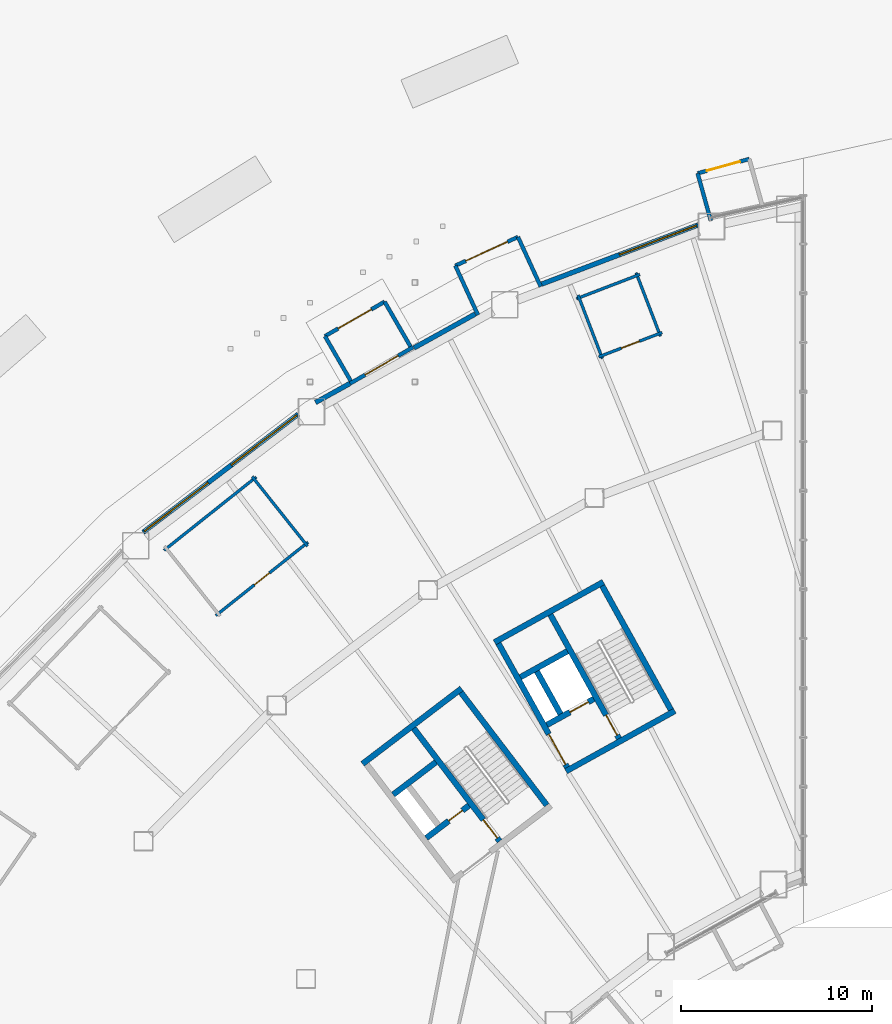
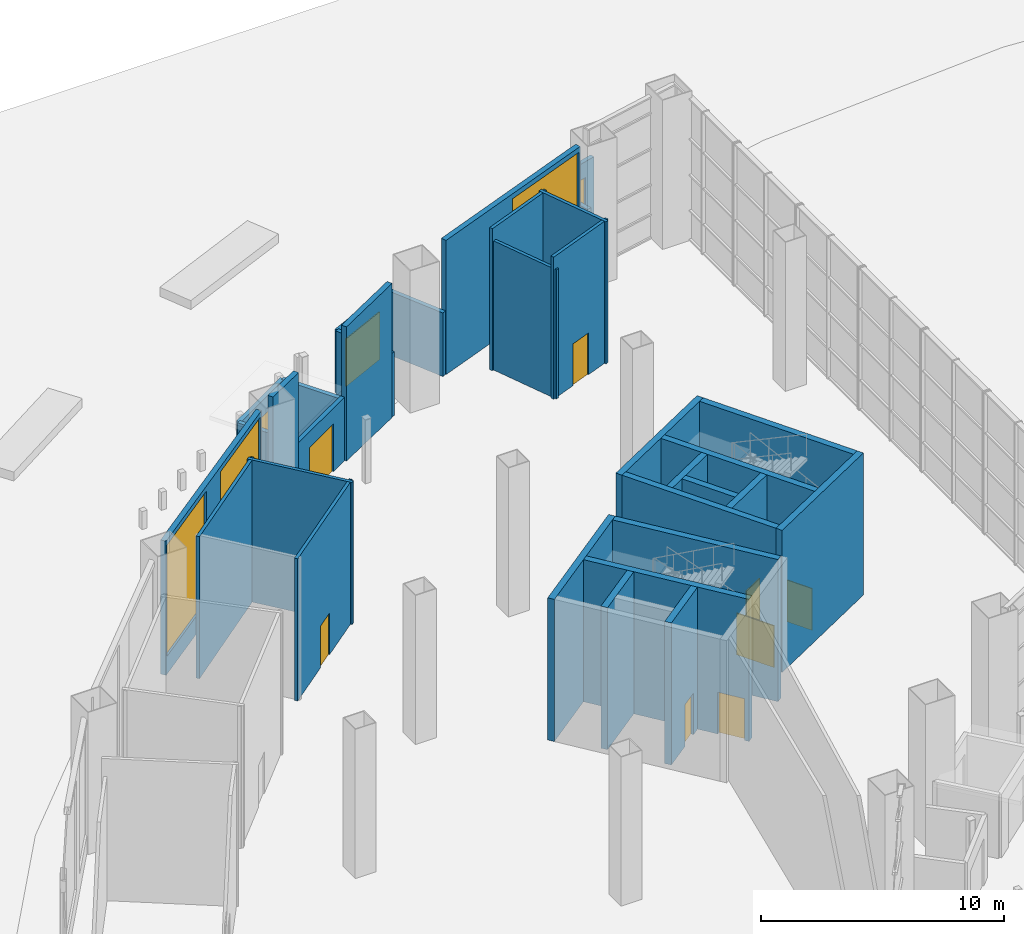
# One storey, part 32 of 45: 33 walls, 11 doors, 3 windows, 14 openings.
"""IFC4 building model written with IfcOpenShell, lengths in metres."""

from ifc_helpers import new_model, si_unit, direction, frame, frame_2d, origin, place, context, subcontext, project, spatial, rectangle, extrude, material, layer, layer_set, type_object, element, fill, save


model = new_model("IFC4")

# Units and contexts
model_context = context("Model", 3, precision=1e-05, world=origin(), true_north=direction((0.0, 1.0)))
body_context = subcontext(model_context, "Body", "Model", "MODEL_VIEW")
ifc_project = project(units=[si_unit("LENGTHUNIT", "METRE"), si_unit("AREAUNIT", "SQUARE_METRE"), si_unit("VOLUMEUNIT", "CUBIC_METRE"), si_unit("PLANEANGLEUNIT", "RADIAN"), si_unit("MASSUNIT", "GRAM", prefix="KILO")], contexts=[model_context])

# Site, building, storey
site_placement = place(None, origin())
site = spatial("IfcSite", under=ifc_project, at=site_placement, CompositionType="ELEMENT")
building_placement = place(site_placement, origin())
building = spatial("IfcBuilding", under=site, at=building_placement, Name="Tuul Gate Civic Tower", CompositionType="ELEMENT")
storey_placement = place(building_placement, origin())
storey = spatial("IfcBuildingStorey", under=building, at=storey_placement, Name="Level 00", CompositionType="ELEMENT", Elevation=0.0)

# Wall, opening, door
ifc_material_1 = material(Name="Concrete C50/60", Category="concrete")
ifc_layer_1 = layer(ifc_material_1, 0.300048828125)
ifc_layer_set_1 = layer_set([ifc_layer_1], Name="Concrete C50/60")
wall_type_1 = type_object("IfcWallType", Name="Core wall C50/60", PredefinedType="SHEAR", material=ifc_layer_set_1)
wall_1_placement = place(storey_placement, frame((-35.470947265625, -13.66064453125, 0.0), z_axis=(0.0, 0.0, 1.0), x_axis=(-0.795615822227, -0.605801504968, 0.0)))
wall_1 = element("IfcWall", 1, at=wall_1_placement, inside=storey, type_object=wall_type_1, Name="Core wall", PredefinedType="SHEAR", context=body_context, shape_type="SweptSolid", body=[
    extrude(rectangle(XDim=2.800048828125, YDim=0.300048828125, at=frame_2d((1.39990234375, 0.0))), origin(), (0.0, 0.0, 1.0), 7.14990234375),
])
opening_1_placement = place(wall_1_placement, frame((0.425048828125, 0.0, 0.0)))
opening_1 = element("IfcOpeningElement", 2, at=opening_1_placement, cuts=wall_1, Name="Opening FB-W1A1", PredefinedType="OPENING", context=body_context, shape_type="SweptSolid", body=[
    extrude(rectangle(XDim=0.89990234375, YDim=2.10009765625, at=frame_2d((0.449951171875, 1.050048828125))), frame((0.0, 0.16015625, 0.0), z_axis=(0.0, -1.0, 0.0), x_axis=(1.0, 0.0, 0.0)), (0.0, 0.0, 1.0), 0.320068359375),
])
ifc_material_2 = material(Name="Steel", Category="steel")
door_type_1 = type_object("IfcDoorType", Name="Store door", OperationType="NOTDEFINED", PredefinedType="DOOR", material=ifc_material_2)
door_1_placement = place(opening_1_placement, frame((0.89990234375, 0.0, 0.0), z_axis=(0.0, 0.0, 1.0), x_axis=(-1.0, 0.0, 0.0)))
door_1 = element("IfcDoor", 3, at=door_1_placement, inside=storey, type_object=door_type_1, Name="Store door W1A1", OperationType="SINGLE_SWING_RIGHT", OverallHeight=2.10009765625, OverallWidth=0.89990234375, PredefinedType="DOOR", context=body_context, shape_type="SweptSolid", body=[
    extrude(rectangle(XDim=0.89990234375, YDim=2.10009765625, at=frame_2d((0.449951171875, 1.050048828125))), frame((0.0, 0.02490234375, 0.0), z_axis=(0.0, -1.0, 0.0), x_axis=(1.0, 0.0, 0.0)), (0.0, 0.0, 1.0), 0.050048828125),
])
fill(opening_1, door_1)

# Walls
wall_2_placement = place(storey_placement, frame((-37.197509765625, -11.39306640625, 0.0), z_axis=(0.0, 0.0, 1.0), x_axis=(-0.795583820278, -0.605843531707, 0.0)))
element("IfcWall", 4, at=wall_2_placement, inside=storey, type_object=wall_type_1, Name="Core wall", PredefinedType="SHEAR", context=body_context, shape_type="SweptSolid", body=[
    extrude(rectangle(XDim=2.7998046875, YDim=0.300048828125, at=frame_2d((1.39990234375, 0.0))), origin(), (0.0, 0.0, 1.0), 7.14990234375),
])
wall_3_placement = place(storey_placement, frame((-35.855224609375, -7.543212890625, 0.0), z_axis=(0.0, 0.0, 1.0), x_axis=(-0.79563860527, -0.605771582202, 0.0)))
element("IfcWall", 5, at=wall_3_placement, inside=storey, type_object=wall_type_1, Name="Core wall", PredefinedType="SHEAR", context=body_context, shape_type="SweptSolid", body=[
    extrude(rectangle(XDim=6.5, YDim=0.300048828125, at=frame_2d((3.25, 0.0))), origin(), (0.0, 0.0, 1.0), 7.14990234375),
])
wall_4_placement = place(storey_placement, frame((-31.401123046875, -13.64111328125, 0.0), z_axis=(0.0, 0.0, 1.0), x_axis=(-0.605769822278, 0.795639945213, 0.0)))
element("IfcWall", 6, at=wall_4_placement, inside=storey, type_object=wall_type_1, Name="Core wall", PredefinedType="SHEAR", context=body_context, shape_type="SweptSolid", body=[
    extrude(rectangle(XDim=7.39990234375, YDim=0.300048828125, at=frame_2d((3.699951171875, 0.0))), origin(), (0.0, 0.0, 1.0), 7.14990234375),
])

# Wall, opening, door
wall_5_placement = place(storey_placement, frame((-33.867431640625, -15.51904296875, 0.0), z_axis=(0.0, 0.0, 1.0), x_axis=(-0.605769822278, 0.795639945213, 0.0)))
wall_5 = element("IfcWall", 7, at=wall_5_placement, inside=storey, type_object=wall_type_1, Name="Core wall", PredefinedType="SHEAR", context=body_context, shape_type="SweptSolid", body=[
    extrude(rectangle(XDim=7.39990234375, YDim=0.300048828125, at=frame_2d((3.699951171875, 0.0))), origin(), (0.0, 0.0, 1.0), 7.14990234375),
])
opening_2_placement = place(wall_5_placement, frame((0.199951171875, 0.0, 0.0)))
opening_2 = element("IfcOpeningElement", 8, at=opening_2_placement, cuts=wall_5, Name="Opening SD-ST-1", PredefinedType="OPENING", context=body_context, shape_type="SweptSolid", body=[
    extrude(rectangle(XDim=1.199951171875, YDim=2.10009765625, at=frame_2d((0.60009765625, 1.050048828125))), frame((0.0, 0.16015625, 0.0), z_axis=(0.0, -1.0, 0.0), x_axis=(1.0, 0.0, 0.0)), (0.0, 0.0, 1.0), 0.320068359375),
])
ifc_material_3 = material(Name="Steel", Category="steel")
door_type_2 = type_object("IfcDoorType", Name="Stair door", OperationType="NOTDEFINED", PredefinedType="DOOR", material=ifc_material_3)
door_2_placement = place(opening_2_placement, origin())
door_2 = element("IfcDoor", 9, at=door_2_placement, inside=storey, type_object=door_type_2, Name="Stair door ST-1", OperationType="SINGLE_SWING_LEFT", OverallHeight=2.10009765625, OverallWidth=1.199951171875, PredefinedType="DOOR", context=body_context, shape_type="SweptSolid", body=[
    extrude(rectangle(XDim=1.199951171875, YDim=2.10009765625, at=frame_2d((0.60009765625, 1.050048828125))), frame((0.0, 0.02490234375, 0.0), z_axis=(0.0, -1.0, 0.0), x_axis=(1.0, 0.0, 0.0)), (0.0, 0.0, 1.0), 0.050048828125),
])
fill(opening_2, door_2)

# Wall
wall_6_placement = place(storey_placement, frame((-24.711669921875, -8.7158203125, 0.0), z_axis=(0.0, 0.0, 1.0), x_axis=(-0.874629909008, -0.484791215132, 0.0)))
element("IfcWall", 10, at=wall_6_placement, inside=storey, type_object=wall_type_1, Name="Core wall", PredefinedType="SHEAR", context=body_context, shape_type="SweptSolid", body=[
    extrude(rectangle(XDim=6.5, YDim=0.300048828125, at=frame_2d((3.25, 0.0))), origin(), (0.0, 0.0, 1.0), 7.14990234375),
])

# Wall, opening, door
wall_7_placement = place(storey_placement, frame((-28.94580078125, -8.090087890625, 0.0), z_axis=(0.0, 0.0, 1.0), x_axis=(-0.874629840737, -0.484791338301, 0.0)))
wall_7 = element("IfcWall", 11, at=wall_7_placement, inside=storey, type_object=wall_type_1, Name="Core wall", PredefinedType="SHEAR", context=body_context, shape_type="SweptSolid", body=[
    extrude(rectangle(XDim=2.800048828125, YDim=0.300048828125, at=frame_2d((1.39990234375, 0.0))), origin(), (0.0, 0.0, 1.0), 7.14990234375),
])
opening_3_placement = place(wall_7_placement, frame((0.324951171875, 0.0, 0.0)))
opening_3 = element("IfcOpeningElement", 12, at=opening_3_placement, cuts=wall_7, Name="Opening LD-FF-1", PredefinedType="OPENING", context=body_context, shape_type="SweptSolid", body=[
    extrude(rectangle(XDim=1.10009765625, YDim=2.10009765625, at=frame_2d((0.550048828125, 1.050048828125))), frame((0.0, 0.16015625, 0.0), z_axis=(0.0, -1.0, 0.0), x_axis=(1.0, 0.0, 0.0)), (0.0, 0.0, 1.0), 0.320068359375),
])
ifc_material_4 = material(Name="Stainless steel", Category="steel")
door_type_3 = type_object("IfcDoorType", Name="Landing door", OperationType="DOUBLE_DOOR_SLIDING", PredefinedType="DOOR", material=ifc_material_4)
door_3_placement = place(opening_3_placement, origin())
door_3 = element("IfcDoor", 13, at=door_3_placement, inside=storey, type_object=door_type_3, Name="Fire-fighting lift FF-1 landing door", OperationType="DOUBLE_DOOR_SLIDING", OverallHeight=2.10009765625, OverallWidth=1.10009765625, PredefinedType="DOOR", context=body_context, shape_type="SweptSolid", body=[
    extrude(rectangle(XDim=1.10009765625, YDim=2.10009765625, at=frame_2d((0.550048828125, 1.050048828125))), frame((0.0, 0.02490234375, 0.0), z_axis=(0.0, -1.0, 0.0), x_axis=(1.0, 0.0, 0.0)), (0.0, 0.0, 1.0), 0.050048828125),
])
fill(opening_3, door_3)

# Walls
wall_8_placement = place(storey_placement, frame((-30.327392578125, -5.59716796875, 0.0), z_axis=(0.0, 0.0, 1.0), x_axis=(-0.874629840737, -0.484791338301, 0.0)))
element("IfcWall", 14, at=wall_8_placement, inside=storey, type_object=wall_type_1, Name="Core wall", PredefinedType="SHEAR", context=body_context, shape_type="SweptSolid", body=[
    extrude(rectangle(XDim=2.800048828125, YDim=0.300048828125, at=frame_2d((1.39990234375, 0.0))), origin(), (0.0, 0.0, 1.0), 7.14990234375),
])
wall_9_placement = place(storey_placement, frame((-28.4443359375, -1.98095703125, 0.0), z_axis=(0.0, 0.0, 1.0), x_axis=(-0.874629909008, -0.484791215132, 0.0)))
element("IfcWall", 15, at=wall_9_placement, inside=storey, type_object=wall_type_1, Name="Core wall", PredefinedType="SHEAR", context=body_context, shape_type="SweptSolid", body=[
    extrude(rectangle(XDim=6.5, YDim=0.300048828125, at=frame_2d((3.25, 0.0))), origin(), (0.0, 0.0, 1.0), 7.14990234375),
])
wall_10_placement = place(storey_placement, frame((-24.91552734375, -8.6572265625, 0.0), z_axis=(0.0, 0.0, 1.0), x_axis=(-0.484777133038, 0.874637714304, 0.0)))
element("IfcWall", 16, at=wall_10_placement, inside=storey, type_object=wall_type_1, Name="Core wall", PredefinedType="SHEAR", context=body_context, shape_type="SweptSolid", body=[
    extrude(rectangle(XDim=7.400146484375, YDim=0.300048828125, at=frame_2d((3.7001953125, 0.0))), origin(), (0.0, 0.0, 1.0), 7.14990234375),
])

# Wall, opening, door
wall_11_placement = place(storey_placement, frame((-27.626953125, -10.16015625, 0.0), z_axis=(0.0, 0.0, 1.0), x_axis=(-0.484751894226, 0.874651702704, 0.0)))
wall_11 = element("IfcWall", 17, at=wall_11_placement, inside=storey, type_object=wall_type_1, Name="Core wall", PredefinedType="SHEAR", context=body_context, shape_type="SweptSolid", body=[
    extrude(rectangle(XDim=7.39990234375, YDim=0.300048828125, at=frame_2d((3.699951171875, 0.0))), origin(), (0.0, 0.0, 1.0), 7.14990234375),
])
opening_4_placement = place(wall_11_placement, frame((0.199951171875, 0.0, 0.0)))
opening_4 = element("IfcOpeningElement", 18, at=opening_4_placement, cuts=wall_11, Name="Opening SD-ST-2", PredefinedType="OPENING", context=body_context, shape_type="SweptSolid", body=[
    extrude(rectangle(XDim=1.199951171875, YDim=2.10009765625, at=frame_2d((0.60009765625, 1.050048828125))), frame((0.0, 0.16015625, 0.0), z_axis=(0.0, -1.0, 0.0), x_axis=(1.0, 0.0, 0.0)), (0.0, 0.0, 1.0), 0.320068359375),
])
door_4_placement = place(opening_4_placement, origin())
door_4 = element("IfcDoor", 19, at=door_4_placement, inside=storey, type_object=door_type_2, Name="Stair door ST-2", OperationType="SINGLE_SWING_LEFT", OverallHeight=2.10009765625, OverallWidth=1.199951171875, PredefinedType="DOOR", context=body_context, shape_type="SweptSolid", body=[
    extrude(rectangle(XDim=1.199951171875, YDim=2.10009765625, at=frame_2d((0.60009765625, 1.050048828125))), frame((0.0, 0.02490234375, 0.0), z_axis=(0.0, -1.0, 0.0), x_axis=(1.0, 0.0, 0.0)), (0.0, 0.0, 1.0), 0.050048828125),
])
fill(opening_4, door_4)

# Wall
wall_12_placement = place(storey_placement, frame((-30.680419921875, -8.8798828125, 0.0), z_axis=(0.0, 0.0, 1.0), x_axis=(-0.484724115216, 0.874667097888, 0.0)))
element("IfcWall", 20, at=wall_12_placement, inside=storey, type_object=wall_type_1, Name="Core wall", PredefinedType="SHEAR", context=body_context, shape_type="SweptSolid", body=[
    extrude(rectangle(XDim=2.550048828125, YDim=0.300048828125, at=frame_2d((1.27490234375, 0.0))), origin(), (0.0, 0.0, 1.0), 7.14990234375),
])

# Wall, opening, door
wall_13_placement = place(storey_placement, frame((-30.33837890625, -11.6630859375, 0.0), z_axis=(0.0, 0.0, 1.0), x_axis=(-0.484751894226, 0.874651702704, 0.0)))
wall_13 = element("IfcWall", 21, at=wall_13_placement, inside=storey, type_object=wall_type_1, Name="Core wall", PredefinedType="SHEAR", context=body_context, shape_type="SweptSolid", body=[
    extrude(rectangle(XDim=7.39990234375, YDim=0.300048828125, at=frame_2d((3.699951171875, 0.0))), origin(), (0.0, 0.0, 1.0), 7.14990234375),
])
opening_5_placement = place(wall_13_placement, frame((0.175048828125, 0.0, 0.0)))
opening_5 = element("IfcOpeningElement", 22, at=opening_5_placement, cuts=wall_13, Name="Opening LB-W2-FLOBBY-1", PredefinedType="OPENING", context=body_context, shape_type="SweptSolid", body=[
    extrude(rectangle(XDim=1.800048828125, YDim=2.10009765625, at=frame_2d((0.89990234375, 1.050048828125))), frame((0.0, 0.16015625, 0.0), z_axis=(0.0, -1.0, 0.0), x_axis=(1.0, 0.0, 0.0)), (0.0, 0.0, 1.0), 0.320068359375),
])
ifc_material_5 = material(Name="Steel", Category="steel")
door_type_4 = type_object("IfcDoorType", Name="Lobby door", OperationType="DOUBLE_DOOR_SINGLE_SWING", PredefinedType="DOOR", material=ifc_material_5)
door_5_placement = place(opening_5_placement, origin())
door_5 = element("IfcDoor", 23, at=door_5_placement, inside=storey, type_object=door_type_4, Name="Lobby door W2-FLOBBY", OperationType="DOUBLE_DOOR_SINGLE_SWING", OverallHeight=2.10009765625, OverallWidth=1.800048828125, PredefinedType="DOOR", context=body_context, shape_type="SweptSolid", body=[
    extrude(rectangle(XDim=1.800048828125, YDim=2.10009765625, at=frame_2d((0.89990234375, 1.050048828125))), frame((0.0, 0.02490234375, 0.0), z_axis=(0.0, -1.0, 0.0), x_axis=(1.0, 0.0, 0.0)), (0.0, 0.0, 1.0), 0.050048828125),
])
fill(opening_5, door_5)

# Wall
ifc_material_6 = material(Name="Fire-rated glazed steel S355", Category="steel")
ifc_layer_2 = layer(ifc_material_6, 0.199951171875)
ifc_layer_set_2 = layer_set([ifc_layer_2], Name="Fire-rated glazed steel S355")
wall_type_2 = type_object("IfcWallType", Name="Exit lobby wall", PredefinedType="SOLIDWALL", material=ifc_layer_set_2)
wall_14_placement = place(storey_placement, frame((-22.828857421875, 16.893798828125, 0.0), z_axis=(0.0, 0.0, 1.0), x_axis=(-0.267937354772, 0.963436336204, 0.0)))
element("IfcWall", 24, at=wall_14_placement, inside=storey, type_object=wall_type_2, Name="Exit lobby wall", PredefinedType="SOLIDWALL", context=body_context, shape_type="SweptSolid", body=[
    extrude(rectangle(XDim=2.57421875, YDim=0.199951171875, at=frame_2d((1.287109375, 0.0))), origin(), (0.0, 0.0, 1.0), 3.199951171875),
])

# Wall, opening, door
wall_15_placement = place(storey_placement, frame((-20.82080078125, 20.123779296875, 0.0), z_axis=(0.0, 0.0, 1.0), x_axis=(-0.963460426314, -0.267850717614, 0.0)))
wall_15 = element("IfcWall", 25, at=wall_15_placement, inside=storey, type_object=wall_type_2, Name="Exit lobby wall", PredefinedType="SOLIDWALL", context=body_context, shape_type="SweptSolid", body=[
    extrude(rectangle(XDim=2.800048828125, YDim=0.199951171875, at=frame_2d((1.39990234375, 0.0))), origin(), (0.0, 0.0, 1.0), 3.199951171875),
])
opening_6_placement = place(wall_15_placement, frame((0.5, 0.0, 0.0)))
opening_6 = element("IfcOpeningElement", 26, at=opening_6_placement, cuts=wall_15, Name="Opening XD", PredefinedType="OPENING", context=body_context, shape_type="SweptSolid", body=[
    extrude(rectangle(XDim=1.800048828125, YDim=2.39990234375, at=frame_2d((0.89990234375, 1.199951171875))), frame((0.0, 0.10986328125, 0.0), z_axis=(0.0, -1.0, 0.0), x_axis=(1.0, 0.0, 0.0)), (0.0, 0.0, 1.0), 0.219970703125),
])
ifc_material_7 = material(Name="Glazed aluminium", Category="aluminium")
door_type_5 = type_object("IfcDoorType", Name="Exit door", OperationType="DOUBLE_DOOR_SINGLE_SWING", PredefinedType="DOOR", material=ifc_material_7)
door_6_placement = place(opening_6_placement, frame((1.800048828125, 0.0, 0.0), z_axis=(0.0, 0.0, 1.0), x_axis=(-1.0, 0.0, 0.0)))
door_6 = element("IfcDoor", 27, at=door_6_placement, inside=storey, type_object=door_type_5, Name="Exit door", OperationType="DOUBLE_DOOR_SINGLE_SWING", OverallHeight=2.39990234375, OverallWidth=1.800048828125, PredefinedType="DOOR", context=body_context, shape_type="SweptSolid", body=[
    extrude(rectangle(XDim=1.800048828125, YDim=2.39990234375, at=frame_2d((0.900146484375, 1.199951171875))), frame((0.0, 0.02490234375, 0.0), z_axis=(0.0, -1.0, 0.0), x_axis=(1.0, 0.0, 0.0)), (0.0, 0.0, 1.0), 0.050048828125),
])
fill(opening_6, door_6)

# Walls
wall_16_placement = place(storey_placement, frame((-31.715087890625, 13.45263671875, 0.0), z_axis=(0.0, 0.0, 1.0), x_axis=(-0.416916563841, 0.908944761135, 0.0)))
element("IfcWall", 28, at=wall_16_placement, inside=storey, type_object=wall_type_2, Name="Exit lobby wall", PredefinedType="SOLIDWALL", context=body_context, shape_type="SweptSolid", body=[
    extrude(rectangle(XDim=2.857177734375, YDim=0.199951171875, at=frame_2d((1.4287109375, 0.0))), origin(), (0.0, 0.0, 1.0), 3.199951171875),
])
wall_17_placement = place(storey_placement, frame((-34.99609375, 11.970947265625, 0.0), z_axis=(0.0, 0.0, 1.0), x_axis=(-0.416965967992, 0.908922098717, 0.0)))
element("IfcWall", 29, at=wall_17_placement, inside=storey, type_object=wall_type_2, Name="Exit lobby wall", PredefinedType="SOLIDWALL", context=body_context, shape_type="SweptSolid", body=[
    extrude(rectangle(XDim=2.835693359375, YDim=0.199951171875, at=frame_2d((1.41796875, 0.0))), origin(), (0.0, 0.0, 1.0), 3.199951171875),
])

# Wall, opening, door
wall_18_placement = place(storey_placement, frame((-32.90625, 16.049560546875, 0.0), z_axis=(0.0, 0.0, 1.0), x_axis=(-0.908911717808, -0.416988596046, 0.0)))
wall_18 = element("IfcWall", 30, at=wall_18_placement, inside=storey, type_object=wall_type_2, Name="Exit lobby wall", PredefinedType="SOLIDWALL", context=body_context, shape_type="SweptSolid", body=[
    extrude(rectangle(XDim=3.60009765625, YDim=0.199951171875, at=frame_2d((1.800048828125, 0.0))), origin(), (0.0, 0.0, 1.0), 3.199951171875),
])
opening_7_placement = place(wall_18_placement, frame((0.60009765625, 0.0, 0.0)))
opening_7 = element("IfcOpeningElement", 31, at=opening_7_placement, cuts=wall_18, Name="Opening XD1", PredefinedType="OPENING", context=body_context, shape_type="SweptSolid", body=[
    extrude(rectangle(XDim=2.39990234375, YDim=2.39990234375, at=frame_2d((1.199951171875, 1.199951171875))), frame((0.0, 0.10986328125, 0.0), z_axis=(0.0, -1.0, 0.0), x_axis=(1.0, 0.0, 0.0)), (0.0, 0.0, 1.0), 0.219970703125),
])
door_7_placement = place(opening_7_placement, frame((2.39990234375, 0.0, 0.0), z_axis=(0.0, 0.0, 1.0), x_axis=(-1.0, 0.0, 0.0)))
door_7 = element("IfcDoor", 32, at=door_7_placement, inside=storey, type_object=door_type_5, Name="Exit door", OperationType="DOUBLE_DOOR_SINGLE_SWING", OverallHeight=2.39990234375, OverallWidth=2.39990234375, PredefinedType="DOOR", context=body_context, shape_type="SweptSolid", body=[
    extrude(rectangle(XDim=2.39990234375, YDim=2.39990234375, at=frame_2d((1.199951171875, 1.199951171875))), frame((0.0, 0.02490234375, 0.0), z_axis=(0.0, -1.0, 0.0), x_axis=(1.0, 0.0, 0.0)), (0.0, 0.0, 1.0), 0.050048828125),
])
fill(opening_7, door_7)

# Wall, opening, window
ifc_material_8 = material(Name="Precast concrete C40/50", Category="concrete")
ifc_layer_3 = layer(ifc_material_8, 0.25)
ifc_layer_set_3 = layer_set([ifc_layer_3], Name="Precast concrete C40/50")
wall_type_3 = type_object("IfcWallType", Name="External wall", PredefinedType="STANDARD", material=ifc_layer_set_3)
wall_19_placement = place(storey_placement, frame((-23.491943359375, 16.677490234375, 0.0), z_axis=(0.0, 0.0, 1.0), x_axis=(-0.935360517412, -0.353695776715, 0.0)))
wall_19 = element("IfcWall", 33, at=wall_19_placement, inside=storey, type_object=wall_type_3, Name="External wall", PredefinedType="STANDARD", context=body_context, shape_type="SweptSolid", body=[
    extrude(rectangle(XDim=8.732421875, YDim=0.25, at=frame_2d((4.3662109375, 0.0))), origin(), (0.0, 0.0, 1.0), 6.75),
])
opening_8_placement = place(wall_19_placement, frame((0.09521484375, 0.0, 0.89990234375)))
opening_8 = element("IfcOpeningElement", 34, at=opening_8_placement, cuts=wall_19, Name="Opening W6", PredefinedType="OPENING", context=body_context, shape_type="SweptSolid", body=[
    extrude(rectangle(XDim=4.300048828125, YDim=5.60009765625, at=frame_2d((2.14990234375, 2.800048828125))), frame((0.0, 0.135009765625, 0.0), z_axis=(0.0, -1.0, 0.0), x_axis=(1.0, 0.0, 0.0)), (0.0, 0.0, 1.0), 0.27001953125),
])
ifc_material_9 = material(Name="Glass", Category="glass")
window_type_1 = type_object("IfcWindowType", Name="Window W6 4300 x 5600", PartitioningType="SINGLE_PANEL", PredefinedType="WINDOW", material=ifc_material_9)
window_1_placement = place(opening_8_placement, origin())
window_1 = element("IfcWindow", 35, at=window_1_placement, inside=storey, type_object=window_type_1, Name="Window", OverallHeight=5.60009765625, OverallWidth=4.300048828125, PartitioningType="SINGLE_PANEL", PredefinedType="WINDOW", context=body_context, shape_type="SweptSolid", body=[
    extrude(rectangle(XDim=4.300048828125, YDim=5.60009765625, at=frame_2d((2.14990234375, 2.800048828125))), frame((0.0, 0.030029296875, 0.0), z_axis=(0.0, -1.0, 0.0), x_axis=(1.0, 0.0, 0.0)), (0.0, 0.0, 1.0), 0.06005859375),
])
fill(opening_8, window_1)

# Walls
wall_20_placement = place(storey_placement, frame((-35.1396484375, 12.0244140625, 0.0), z_axis=(0.0, 0.0, 1.0), x_axis=(-0.874656616963, -0.484743027184, 0.0)))
element("IfcWall", 36, at=wall_20_placement, inside=storey, type_object=wall_type_3, Name="External wall", PredefinedType="STANDARD", context=body_context, shape_type="SweptSolid", body=[
    extrude(rectangle(XDim=3.66357421875, YDim=0.25, at=frame_2d((1.831787109375, 0.0))), origin(), (0.0, 0.0, 1.0), 6.75),
])
wall_21_placement = place(storey_placement, frame((-41.685302734375, 8.396728515625, 0.0), z_axis=(0.0, 0.0, 1.0), x_axis=(-0.874649648229, -0.484755601156, 0.0)))
element("IfcWall", 37, at=wall_21_placement, inside=storey, type_object=wall_type_3, Name="External wall", PredefinedType="STANDARD", context=body_context, shape_type="SweptSolid", body=[
    extrude(rectangle(XDim=2.056396484375, YDim=0.25, at=frame_2d((1.0283203125, 0.0))), origin(), (0.0, 0.0, 1.0), 6.75),
])

# Wall, openings, windows
wall_22_placement = place(storey_placement, frame((-44.39111328125, 6.7890625, 0.0), z_axis=(0.0, 0.0, 1.0), x_axis=(-0.795598395873, -0.605824390796, 0.0)))
wall_22 = element("IfcWall", 38, at=wall_22_placement, inside=storey, type_object=wall_type_3, Name="External wall", PredefinedType="STANDARD", context=body_context, shape_type="SweptSolid", body=[
    extrude(rectangle(XDim=10.186279296875, YDim=0.25, at=frame_2d((5.09326171875, 0.0))), origin(), (0.0, 0.0, 1.0), 6.75),
])
opening_9_placement = place(wall_22_placement, frame((0.088623046875, 0.0, 0.89990234375)))
opening_9 = element("IfcOpeningElement", 39, at=opening_9_placement, cuts=wall_22, Name="Opening W6", PredefinedType="OPENING", context=body_context, shape_type="SweptSolid", body=[
    extrude(rectangle(XDim=4.300048828125, YDim=5.60009765625, at=frame_2d((2.14990234375, 2.800048828125))), frame((0.0, 0.135009765625, 0.0), z_axis=(0.0, -1.0, 0.0), x_axis=(1.0, 0.0, 0.0)), (0.0, 0.0, 1.0), 0.27001953125),
])
opening_10_placement = place(wall_22_placement, frame((5.90087890625, 0.0, 0.89990234375)))
opening_10 = element("IfcOpeningElement", 40, at=opening_10_placement, cuts=wall_22, Name="Opening W82", PredefinedType="OPENING", context=body_context, shape_type="SweptSolid", body=[
    extrude(rectangle(XDim=4.199951171875, YDim=5.60009765625, at=frame_2d((2.10009765625, 2.800048828125))), frame((0.0, 0.135009765625, 0.0), z_axis=(0.0, -1.0, 0.0), x_axis=(1.0, 0.0, 0.0)), (0.0, 0.0, 1.0), 0.27001953125),
])
window_2_placement = place(opening_9_placement, origin())
window_2 = element("IfcWindow", 41, at=window_2_placement, inside=storey, type_object=window_type_1, Name="Window", OverallHeight=5.60009765625, OverallWidth=4.300048828125, PartitioningType="SINGLE_PANEL", PredefinedType="WINDOW", context=body_context, shape_type="SweptSolid", body=[
    extrude(rectangle(XDim=4.300048828125, YDim=5.60009765625, at=frame_2d((2.14990234375, 2.800048828125))), frame((0.0, 0.030029296875, 0.0), z_axis=(0.0, -1.0, 0.0), x_axis=(1.0, 0.0, 0.0)), (0.0, 0.0, 1.0), 0.06005859375),
])
fill(opening_9, window_2)
ifc_material_10 = material(Name="Glass", Category="glass")
window_type_2 = type_object("IfcWindowType", Name="Window W82 4200 x 5600", PartitioningType="SINGLE_PANEL", PredefinedType="WINDOW", material=ifc_material_10)
window_3_placement = place(opening_10_placement, origin())
window_3 = element("IfcWindow", 42, at=window_3_placement, inside=storey, type_object=window_type_2, Name="Window", OverallHeight=5.60009765625, OverallWidth=4.199951171875, PartitioningType="SINGLE_PANEL", PredefinedType="WINDOW", context=body_context, shape_type="SweptSolid", body=[
    extrude(rectangle(XDim=4.199951171875, YDim=5.60009765625, at=frame_2d((2.10009765625, 2.800048828125))), frame((0.0, 0.030029296875, 0.0), z_axis=(0.0, -1.0, 0.0), x_axis=(1.0, 0.0, 0.0)), (0.0, 0.0, 1.0), 0.06005859375),
])
fill(opening_10, window_3)

# Wall, opening, door
ifc_material_11 = material(Name="Concrete block", Category="concrete")
ifc_layer_4 = layer(ifc_material_11, 0.14990234375)
ifc_layer_set_4 = layer_set([ifc_layer_4], Name="Concrete block")
wall_type_4 = type_object("IfcWallType", Name="Ground floor room wall", PredefinedType="PARTITIONING", material=ifc_layer_set_4)
wall_23_placement = place(storey_placement, frame((-43.87646484375, 0.099853515625, 0.0), z_axis=(0.0, 0.0, 1.0), x_axis=(-0.782612482535, -0.62250919847, 0.0)))
wall_23 = element("IfcWall", 43, at=wall_23_placement, inside=storey, type_object=wall_type_4, Name="Room wall", PredefinedType="PARTITIONING", context=body_context, shape_type="SweptSolid", body=[
    extrude(rectangle(XDim=6.14990234375, YDim=0.14990234375, at=frame_2d((3.074951171875, 0.0))), origin(), (0.0, 0.0, 1.0), 7.14990234375),
])
opening_11_placement = place(wall_23_placement, frame((2.574951171875, 0.0, 0.0)))
opening_11 = element("IfcOpeningElement", 44, at=opening_11_placement, cuts=wall_23, Name="Opening GD", PredefinedType="OPENING", context=body_context, shape_type="SweptSolid", body=[
    extrude(rectangle(XDim=1.0, YDim=2.10009765625, at=frame_2d((0.5, 1.050048828125))), frame((0.0, 0.0849609375, 0.0), z_axis=(0.0, -1.0, 0.0), x_axis=(1.0, 0.0, 0.0)), (0.0, 0.0, 1.0), 0.169921875),
])
ifc_material_12 = material(Name="Timber", Category="wood")
door_type_6 = type_object("IfcDoorType", Name="Ground floor room door", OperationType="NOTDEFINED", PredefinedType="DOOR", material=ifc_material_12)
door_8_placement = place(opening_11_placement, frame((1.0, 0.0, 0.0), z_axis=(0.0, 0.0, 1.0), x_axis=(-1.0, 0.0, 0.0)))
door_8 = element("IfcDoor", 45, at=door_8_placement, inside=storey, type_object=door_type_6, Name="Public WC west door", OperationType="SINGLE_SWING_RIGHT", OverallHeight=2.10009765625, OverallWidth=1.0, PredefinedType="DOOR", context=body_context, shape_type="SweptSolid", body=[
    extrude(rectangle(XDim=1.0, YDim=2.10009765625, at=frame_2d((0.5, 1.050048828125))), frame((0.0, 0.02490234375, 0.0), z_axis=(0.0, -1.0, 0.0), x_axis=(1.0, 0.0, 0.0)), (0.0, 0.0, 1.0), 0.050048828125),
])
fill(opening_11, door_8)

# Walls
wall_24_placement = place(storey_placement, frame((-51.3974609375, -0.32421875, 0.0), z_axis=(0.0, 0.0, 1.0), x_axis=(0.782612482535, 0.62250919847, 0.0)))
element("IfcWall", 46, at=wall_24_placement, inside=storey, type_object=wall_type_4, Name="Room wall", PredefinedType="PARTITIONING", context=body_context, shape_type="SweptSolid", body=[
    extrude(rectangle(XDim=6.14990234375, YDim=0.14990234375, at=frame_2d((3.074951171875, 0.0))), origin(), (0.0, 0.0, 1.0), 7.14990234375),
])
wall_25_placement = place(storey_placement, frame((-46.795166015625, 3.5283203125, 0.0), z_axis=(0.0, 0.0, 1.0), x_axis=(0.622522104188, -0.782602216836, 0.0)))
element("IfcWall", 47, at=wall_25_placement, inside=storey, type_object=wall_type_4, Name="Room wall", PredefinedType="PARTITIONING", context=body_context, shape_type="SweptSolid", body=[
    extrude(rectangle(XDim=4.650146484375, YDim=0.14990234375, at=frame_2d((2.3251953125, 0.0))), origin(), (0.0, 0.0, 1.0), 7.14990234375),
])

# Wall, opening, door
wall_26_placement = place(storey_placement, frame((-25.375, 11.05712890625, 0.0), z_axis=(0.0, 0.0, 1.0), x_axis=(-0.933579374434, -0.358370690252, 0.0)))
wall_26 = element("IfcWall", 48, at=wall_26_placement, inside=storey, type_object=wall_type_4, Name="Room wall", PredefinedType="PARTITIONING", context=body_context, shape_type="SweptSolid", body=[
    extrude(rectangle(XDim=3.550048828125, YDim=0.14990234375, at=frame_2d((1.77490234375, 0.0))), origin(), (0.0, 0.0, 1.0), 7.14990234375),
])
opening_12_placement = place(wall_26_placement, frame((1.27490234375, 0.0, 0.0)))
opening_12 = element("IfcOpeningElement", 49, at=opening_12_placement, cuts=wall_26, Name="Opening GD", PredefinedType="OPENING", context=body_context, shape_type="SweptSolid", body=[
    extrude(rectangle(XDim=1.0, YDim=2.10009765625, at=frame_2d((0.5, 1.050048828125))), frame((0.0, 0.0849609375, 0.0), z_axis=(0.0, -1.0, 0.0), x_axis=(1.0, 0.0, 0.0)), (0.0, 0.0, 1.0), 0.169921875),
])
door_9_placement = place(opening_12_placement, frame((1.0, 0.0, 0.0), z_axis=(0.0, 0.0, 1.0), x_axis=(-1.0, 0.0, 0.0)))
door_9 = element("IfcDoor", 50, at=door_9_placement, inside=storey, type_object=door_type_6, Name="Accessible WC west door", OperationType="SINGLE_SWING_RIGHT", OverallHeight=2.10009765625, OverallWidth=1.0, PredefinedType="DOOR", context=body_context, shape_type="SweptSolid", body=[
    extrude(rectangle(XDim=1.0, YDim=2.10009765625, at=frame_2d((0.5, 1.050048828125))), frame((0.0, 0.02490234375, 0.0), z_axis=(0.0, -1.0, 0.0), x_axis=(1.0, 0.0, 0.0)), (0.0, 0.0, 1.0), 0.050048828125),
])
fill(opening_12, door_9)

# Walls
for number, where, z_axis, x_axis, name in (
    (51, (-29.85400390625, 12.819091796875, 0.0), (0.0, 0.0, 1.0), (0.933579374434, 0.358370690252, 0.0), "Room wall"),
    (52, (-26.7333984375, 14.177490234375, 0.0), (0.0, 0.0, 1.0), (0.358370690252, -0.933579374434, 0.0), "Room wall"),
):
    element("IfcWall", number, at=place(storey_placement, frame(where, z_axis=z_axis, x_axis=x_axis)), inside=storey, type_object=wall_type_4, Name=name, PredefinedType="PARTITIONING", context=body_context, shape_type="SweptSolid", body=[
        extrude(rectangle(XDim=3.550048828125, YDim=0.14990234375, at=frame_2d((1.77490234375, 0.0))), origin(), (0.0, 0.0, 1.0), 7.14990234375),
    ])
ifc_material_13 = material(Name="Concrete block", Category="concrete")
ifc_layer_5 = layer(ifc_material_13, 0.14990234375)
ifc_layer_set_5 = layer_set([ifc_layer_5], Name="Concrete block")
wall_type_5 = type_object("IfcWallType", Name="Ground floor room wall 6500 HIGH", PredefinedType="PARTITIONING", material=ifc_layer_set_5)
wall_27_placement = place(storey_placement, frame((-28.495361328125, 9.698486328125, 0.0), z_axis=(0.0, 0.0, 1.0), x_axis=(-0.358370690252, 0.933579374434, 0.0)))
element("IfcWall", 53, at=wall_27_placement, inside=storey, type_object=wall_type_5, Name="Room wall", PredefinedType="PARTITIONING", context=body_context, shape_type="SweptSolid", body=[
    extrude(rectangle(XDim=3.550048828125, YDim=0.14990234375, at=frame_2d((1.77490234375, 0.0))), origin(), (0.0, 0.0, 1.0), 6.5),
])
ifc_material_14 = material(Name="Glazed aluminium", Category="aluminium")
ifc_layer_6 = layer(ifc_material_14, 0.199951171875)
ifc_layer_set_6 = layer_set([ifc_layer_6], Name="Glazed aluminium")
wall_type_6 = type_object("IfcWallType", Name="Vestibule wall", PredefinedType="SOLIDWALL", material=ifc_layer_set_6)
for number, where, z_axis, x_axis, name in (
    (54, (-38.52490234375, 10.3271484375, 0.0), (0.0, 0.0, 1.0), (-0.50000943426, 0.866019956843, 0.0), "Vestibule wall"),
    (55, (-41.642578125, 8.527099609375, 0.0), (0.0, 0.0, 1.0), (-0.50000943426, 0.866019956843, 0.0), "Vestibule wall"),
):
    element("IfcWall", number, at=place(storey_placement, frame(where, z_axis=z_axis, x_axis=x_axis)), inside=storey, type_object=wall_type_6, Name=name, PredefinedType="SOLIDWALL", context=body_context, shape_type="SweptSolid", body=[
        extrude(rectangle(XDim=2.7001953125, YDim=0.199951171875, at=frame_2d((1.35009765625, 0.0))), origin(), (0.0, 0.0, 1.0), 3.199951171875),
    ])

# Wall, opening, door
wall_28_placement = place(storey_placement, frame((-39.875, 12.66552734375, 0.0), z_axis=(0.0, 0.0, 1.0), x_axis=(-0.866018442252, -0.500012057535, 0.0)))
wall_28 = element("IfcWall", 56, at=wall_28_placement, inside=storey, type_object=wall_type_6, Name="Vestibule wall", PredefinedType="SOLIDWALL", context=body_context, shape_type="SweptSolid", body=[
    extrude(rectangle(XDim=3.60009765625, YDim=0.199951171875, at=frame_2d((1.800048828125, 0.0))), origin(), (0.0, 0.0, 1.0), 3.199951171875),
])
opening_13_placement = place(wall_28_placement, frame((0.800048828125, 0.0, 0.0)))
opening_13 = element("IfcOpeningElement", 57, at=opening_13_placement, cuts=wall_28, Name="Opening ED", PredefinedType="OPENING", context=body_context, shape_type="SweptSolid", body=[
    extrude(rectangle(XDim=2.0, YDim=2.39990234375, at=frame_2d((1.0, 1.199951171875))), frame((0.0, 0.10986328125, 0.0), z_axis=(0.0, -1.0, 0.0), x_axis=(1.0, 0.0, 0.0)), (0.0, 0.0, 1.0), 0.219970703125),
])
ifc_material_15 = material(Name="Glazed aluminium", Category="aluminium")
door_type_7 = type_object("IfcDoorType", Name="Entrance door", OperationType="DOUBLE_DOOR_SINGLE_SWING", PredefinedType="DOOR", material=ifc_material_15)
door_10_placement = place(opening_13_placement, frame((2.0, 0.0, 0.0), z_axis=(0.0, 0.0, 1.0), x_axis=(-1.0, 0.0, 0.0)))
door_10 = element("IfcDoor", 58, at=door_10_placement, inside=storey, type_object=door_type_7, Name="Entrance door", OperationType="DOUBLE_DOOR_SINGLE_SWING", OverallHeight=2.39990234375, OverallWidth=2.0, PredefinedType="DOOR", context=body_context, shape_type="SweptSolid", body=[
    extrude(rectangle(XDim=2.0, YDim=2.39990234375, at=frame_2d((1.0, 1.199951171875))), frame((0.0, 0.02490234375, 0.0), z_axis=(0.0, -1.0, 0.0), x_axis=(1.0, 0.0, 0.0)), (0.0, 0.0, 1.0), 0.050048828125),
])
fill(opening_13, door_10)

wall_29_placement = place(storey_placement, frame((-38.388427734375, 10.29052734375, 0.0), z_axis=(0.0, 0.0, 1.0), x_axis=(-0.866028304915, -0.499994975061, 0.0)))
wall_29 = element("IfcWall", 59, at=wall_29_placement, inside=storey, type_object=wall_type_6, Name="Vestibule wall", PredefinedType="SOLIDWALL", context=body_context, shape_type="SweptSolid", body=[
    extrude(rectangle(XDim=3.7998046875, YDim=0.199951171875, at=frame_2d((1.89990234375, 0.0))), origin(), (0.0, 0.0, 1.0), 3.199951171875),
])
opening_14_placement = place(wall_29_placement, frame((0.89990234375, 0.0, 0.0)))
opening_14 = element("IfcOpeningElement", 60, at=opening_14_placement, cuts=wall_29, Name="Opening ED", PredefinedType="OPENING", context=body_context, shape_type="SweptSolid", body=[
    extrude(rectangle(XDim=2.0, YDim=2.39990234375, at=frame_2d((1.0, 1.199951171875))), frame((0.0, 0.10986328125, 0.0), z_axis=(0.0, -1.0, 0.0), x_axis=(1.0, 0.0, 0.0)), (0.0, 0.0, 1.0), 0.219970703125),
])
door_11_placement = place(opening_14_placement, frame((2.0, 0.0, 0.0), z_axis=(0.0, 0.0, 1.0), x_axis=(-1.0, 0.0, 0.0)))
door_11 = element("IfcDoor", 61, at=door_11_placement, inside=storey, type_object=door_type_7, Name="Entrance inner door", OperationType="DOUBLE_DOOR_SINGLE_SWING", OverallHeight=2.39990234375, OverallWidth=2.0, PredefinedType="DOOR", context=body_context, shape_type="SweptSolid", body=[
    extrude(rectangle(XDim=2.0, YDim=2.39990234375, at=frame_2d((1.0, 1.199951171875))), frame((0.0, 0.02490234375, 0.0), z_axis=(0.0, -1.0, 0.0), x_axis=(1.0, 0.0, 0.0)), (0.0, 0.0, 1.0), 0.050048828125),
])
fill(opening_14, door_11)

save(model, "model.ifc")
